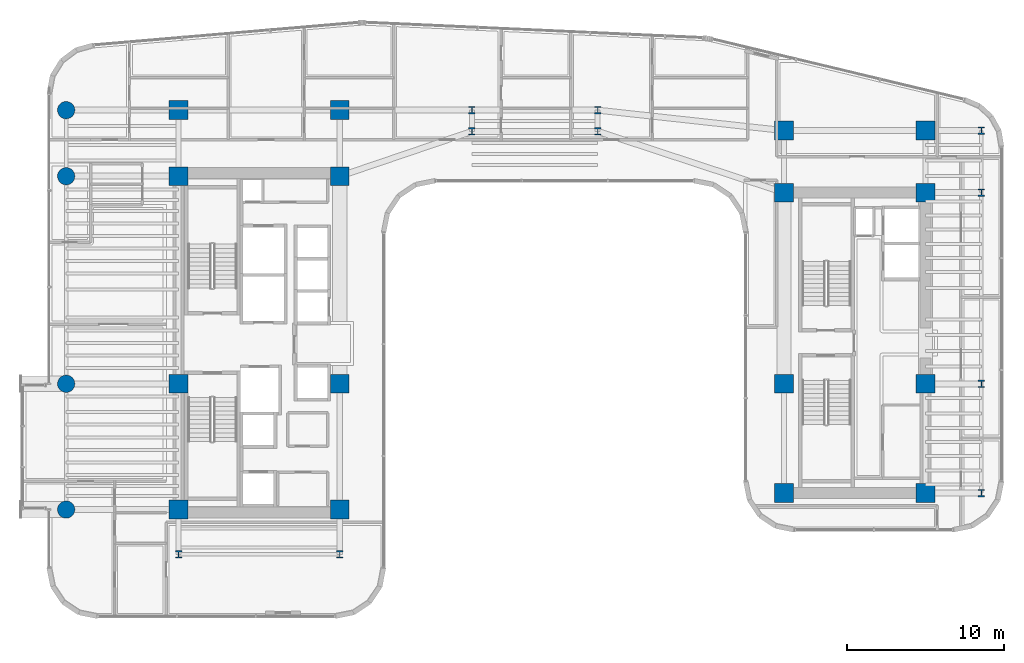
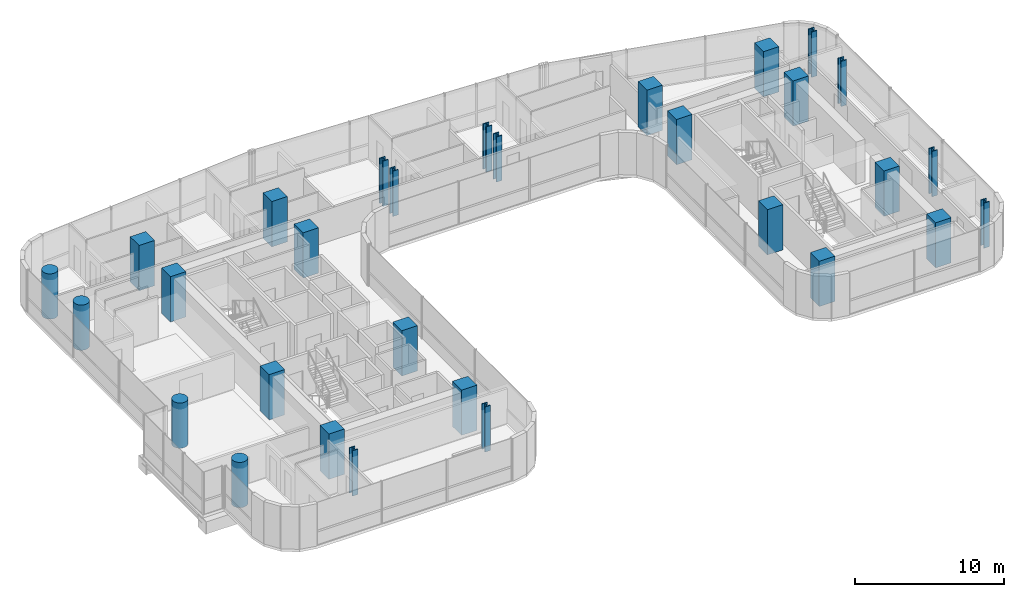
# One storey, part 1 of 37: 30 columns.
"""IFC4 building model written with IfcOpenShell, lengths in metres."""

from ifc_helpers import new_model, si_unit, direction, frame, origin, origin_2d, place, context, subcontext, project, spatial, rectangle, circle, i_section, extrude, source, transform, mapped, material, material_profile, profile_set, type_object, element, save


model = new_model("IFC4")

# Units and contexts
model_context = context("Model", 3, precision=1e-05, world=origin(), true_north=direction((0.0, 1.0)))
body_context = subcontext(model_context, "Body", "Model", "MODEL_VIEW")
ifc_project = project(units=[si_unit("LENGTHUNIT", "METRE"), si_unit("AREAUNIT", "SQUARE_METRE"), si_unit("VOLUMEUNIT", "CUBIC_METRE"), si_unit("PLANEANGLEUNIT", "RADIAN"), si_unit("MASSUNIT", "GRAM", prefix="KILO")], contexts=[model_context])

# Site, building, storey
site_placement = place(None, origin())
site = spatial("IfcSite", under=ifc_project, at=site_placement, CompositionType="ELEMENT")
building_placement = place(site_placement, origin())
building = spatial("IfcBuilding", under=site, at=building_placement, Name="Valdorenza Pilgrim Sanctuary Tower", CompositionType="ELEMENT")
storey_placement = place(building_placement, frame((0.0, 0.0, 127.89990234375)))
storey = spatial("IfcBuildingStorey", under=building, at=storey_placement, Name="L32", CompositionType="ELEMENT", Elevation=127.89990234375)

# Columns
ifc_material_1 = material(Name="Concrete C50/60", Category="concrete")
ifc_material_profile_1 = material_profile(ifc_material_1, circle(Radius=0.550048828125, at=origin_2d()), Name="RC D1100")
ifc_profile_set_1 = profile_set([ifc_material_profile_1], Name="Concrete C50/60")
column_type_1 = type_object("IfcColumnType", Name="COL-RND-1100", PredefinedType="COLUMN", material=ifc_profile_set_1)
shared_shape_1 = source(origin(), body_context, "Body", "SweptSolid", [
    extrude(circle(Radius=0.550048828125, at=origin_2d()), origin(), (0.0, 0.0, 1.0), 3.7001953125),
])
for number, where, z_axis, x_axis, name in (
    (1, (-29.800048828125, -10.60009765625, 0.0), (0.0, 0.0, 1.0), (1.0, 0.0, 0.0), "L32 Perimeter Column WA-W-S1"),
    (2, (-29.800048828125, -2.60009765625, 0.0), (0.0, 0.0, 1.0), (1.0, 0.0, 0.0), "L32 Perimeter Column WA-W-M0"),
    (3, (-29.800048828125, 10.60009765625, 0.0), (0.0, 0.0, 1.0), (1.0, 0.0, 0.0), "L32 Perimeter Column WA-W-N1"),
    (4, (-29.800048828125, 14.800048828125, 0.0), (0.0, 0.0, 1.0), (1.0, 0.0, 0.0), "L32 Perimeter Column WA-W-N2"),
):
    element("IfcColumn", number, at=place(storey_placement, frame(where, z_axis=z_axis, x_axis=x_axis)), inside=storey, type_object=column_type_1, Name=name, PredefinedType="COLUMN", context=body_context, shape_type="MappedRepresentation", body=[
        mapped(shared_shape_1, transform((0.0, 0.0, 0.0), x_axis=(1.0, 0.0, 0.0), y_axis=(0.0, 1.0, 0.0), z_axis=(0.0, 0.0, 1.0), scale=1.0)),
    ])
ifc_material_2 = material(Name="Concrete C60/75", Category="concrete")
ifc_material_profile_2 = material_profile(ifc_material_2, rectangle(XDim=1.199951171875, YDim=1.199951171875, at=origin_2d()), Name="RC 1200x1200")
ifc_profile_set_2 = profile_set([ifc_material_profile_2], Name="Concrete C60/75")
column_type_2 = type_object("IfcColumnType", Name="COL-Z2-1200", PredefinedType="COLUMN", material=ifc_profile_set_2)
shared_shape_2 = source(origin(), body_context, "Body", "SweptSolid", [
    extrude(rectangle(XDim=1.199951171875, YDim=1.199951171875, at=origin_2d()), origin(), (0.0, 0.0, 1.0), 3.7001953125),
])
for number, where, z_axis, x_axis, name in (
    (5, (-22.64990234375, -10.60009765625, 0.0), (0.0, 0.0, 1.0), (1.0, 0.0, 0.0), "L32 Column CA-W-S1"),
    (6, (-12.39990234375, -10.60009765625, 0.0), (0.0, 0.0, 1.0), (1.0, 0.0, 0.0), "L32 Column CA-E-S1"),
    (7, (-22.64990234375, -2.60009765625, 0.0), (0.0, 0.0, 1.0), (1.0, 0.0, 0.0), "L32 Column CA-W-M0"),
    (8, (-12.39990234375, -2.60009765625, 0.0), (0.0, 0.0, 1.0), (1.0, 0.0, 0.0), "L32 Column CA-E-M0"),
    (9, (-22.64990234375, 10.60009765625, 0.0), (0.0, 0.0, 1.0), (1.0, 0.0, 0.0), "L32 Column CA-W-N1"),
    (10, (-12.39990234375, 10.60009765625, 0.0), (0.0, 0.0, 1.0), (1.0, 0.0, 0.0), "L32 Column CA-E-N1"),
    (11, (-22.64990234375, 14.800048828125, 0.0), (0.0, 0.0, 1.0), (1.0, 0.0, 0.0), "L32 Column CA-W-N2"),
    (12, (-12.39990234375, 14.800048828125, 0.0), (0.0, 0.0, 1.0), (1.0, 0.0, 0.0), "L32 Column CA-E-N2"),
    (13, (15.85009765625, -9.550048828125, 0.0), (0.0, 0.0, 1.0), (1.0, 0.0, 0.0), "L32 Column CB-W-S1"),
    (14, (24.85009765625, -9.550048828125, 0.0), (0.0, 0.0, 1.0), (1.0, 0.0, 0.0), "L32 Column CB-E-S1"),
    (15, (15.85009765625, -2.60009765625, 0.0), (0.0, 0.0, 1.0), (1.0, 0.0, 0.0), "L32 Column CB-W-M0"),
    (16, (24.85009765625, -2.60009765625, 0.0), (0.0, 0.0, 1.0), (1.0, 0.0, 0.0), "L32 Column CB-E-M0"),
    (17, (15.85009765625, 9.550048828125, 0.0), (0.0, 0.0, 1.0), (1.0, 0.0, 0.0), "L32 Column CB-W-N1"),
    (18, (24.85009765625, 9.550048828125, 0.0), (0.0, 0.0, 1.0), (1.0, 0.0, 0.0), "L32 Column CB-E-N1"),
    (19, (15.85009765625, 13.5, 0.0), (0.0, 0.0, 1.0), (1.0, 0.0, 0.0), "L32 Column CB-W-N2"),
    (20, (24.85009765625, 13.5, 0.0), (0.0, 0.0, 1.0), (1.0, 0.0, 0.0), "L32 Column CB-E-N2"),
):
    element("IfcColumn", number, at=place(storey_placement, frame(where, z_axis=z_axis, x_axis=x_axis)), inside=storey, type_object=column_type_2, Name=name, PredefinedType="COLUMN", context=body_context, shape_type="MappedRepresentation", body=[
        mapped(shared_shape_2, transform((0.0, 0.0, 0.0), x_axis=(1.0, 0.0, 0.0), y_axis=(0.0, 1.0, 0.0), z_axis=(0.0, 0.0, 1.0), scale=1.0)),
    ])
ifc_material_3 = material(Name="Steel ASTM A992 Grade 50", Category="steel")
ifc_material_profile_3 = material_profile(ifc_material_3, i_section(OverallWidth=0.424072265625, OverallDepth=0.47412109375, WebThickness=0.047607421875, FlangeThickness=0.0771484375, at=origin_2d()), Name="W14X426")
ifc_profile_set_3 = profile_set([ifc_material_profile_3], Name="Steel ASTM A992 Grade 50")
column_type_3 = type_object("IfcColumnType", Name="COL-STL-W426", PredefinedType="COLUMN", material=ifc_profile_set_3)
shared_shape_3 = source(origin(), body_context, "Body", "SweptSolid", [
    extrude(i_section(OverallWidth=0.424072265625, OverallDepth=0.47412109375, WebThickness=0.047607421875, FlangeThickness=0.0771484375, at=origin_2d()), origin(), (0.0, 0.0, 1.0), 3.7001953125),
])
for number, where, z_axis, x_axis, name in (
    (21, (-22.64990234375, -13.449951171875, 0.0), (0.0, 0.0, 1.0), (1.0, 0.0, 0.0), "L32 Column WA-S-W"),
    (22, (-12.39990234375, -13.449951171875, 0.0), (0.0, 0.0, 1.0), (1.0, 0.0, 0.0), "L32 Column WA-S-E"),
    (23, (28.39990234375, -9.550048828125, 0.0), (0.0, 0.0, 1.0), (1.0, 0.0, 0.0), "L32 Perimeter Column WB-E-S1"),
    (24, (28.39990234375, -2.60009765625, 0.0), (0.0, 0.0, 1.0), (1.0, 0.0, 0.0), "L32 Perimeter Column WB-E-M0"),
    (25, (28.39990234375, 9.550048828125, 0.0), (0.0, 0.0, 1.0), (1.0, 0.0, 0.0), "L32 Perimeter Column WB-E-N1"),
    (26, (28.39990234375, 13.5, 0.0), (0.0, 0.0, 1.0), (1.0, 0.0, 0.0), "L32 Perimeter Column WB-E-N2"),
    (27, (-4.0, 13.449951171875, 0.0), (0.0, 0.0, 1.0), (1.0, 0.0, 0.0), "L32 Column KNK-W1"),
    (28, (-4.0, 14.800048828125, 0.0), (0.0, 0.0, 1.0), (1.0, 0.0, 0.0), "L32 Column KNK-W2"),
    (29, (4.0, 13.449951171875, 0.0), (0.0, 0.0, 1.0), (1.0, 0.0, 0.0), "L32 Column KNK-E1"),
    (30, (4.0, 14.800048828125, 0.0), (0.0, 0.0, 1.0), (1.0, 0.0, 0.0), "L32 Column KNK-E2"),
):
    element("IfcColumn", number, at=place(storey_placement, frame(where, z_axis=z_axis, x_axis=x_axis)), inside=storey, type_object=column_type_3, Name=name, PredefinedType="COLUMN", context=body_context, shape_type="MappedRepresentation", body=[
        mapped(shared_shape_3, transform((0.0, 0.0, 0.0), x_axis=(1.0, 0.0, 0.0), y_axis=(0.0, 1.0, 0.0), z_axis=(0.0, 0.0, 1.0), scale=1.0)),
    ])

save(model, "model.ifc")
